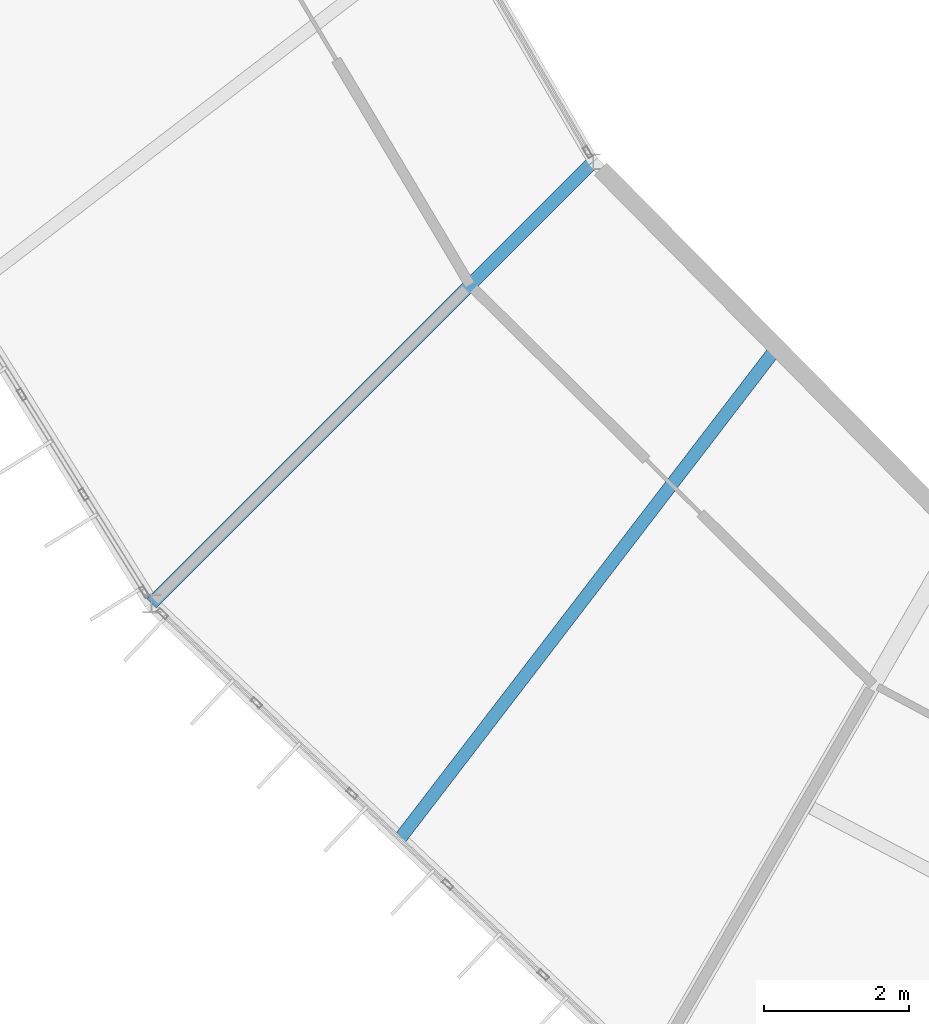
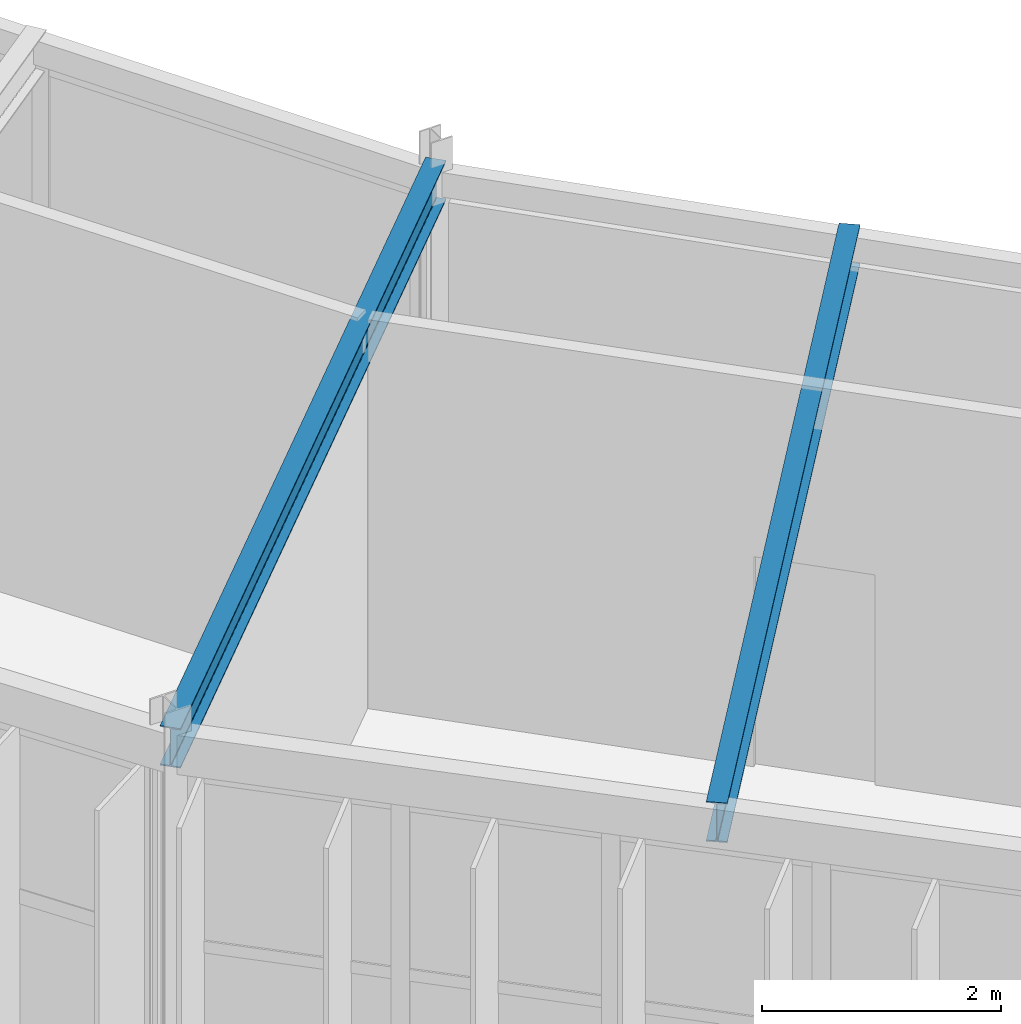
# One storey, part 24 of 134: 2 beams.
"""IFC4 building model written with IfcOpenShell, lengths in metres."""

import ifcopenshell
import ifcopenshell.guid

model = None  # the IFC model being written
_history = None  # IfcOwnerHistory: only IFC2X3 demands one
_inside = {}  # id of a spatial element -> (the spatial element, [elements in it])
_under = {}  # id of a project, library or spatial element -> (it, [spatial elements below it])
_declared = {}  # id of a project -> (the project, [libraries it declares])
_typed = {}  # id of a type object -> (the type object, [elements of that type])
_made_of = {}  # id of a material, layer set ... -> (it, [elements and type objects made of it])


def new_model(schema):
    """Start an empty IFC model of exactly this schema.

    Asked for "IFC4X3", IfcOpenShell would pick the latest addendum, in which some entities
    have other attributes; the version numbers below select the first issue.
    IFC2X3 requires an IfcOwnerHistory on every rooted entity: one is made here for all.
    """
    global model, _history
    if schema == "IFC4X3":
        model = ifcopenshell.file(schema_version=(4, 3, 0, 0))
    else:
        model = ifcopenshell.file(schema=schema)
    _inside.clear()
    _under.clear()
    _declared.clear()
    _typed.clear()
    _made_of.clear()
    _history = None
    if model.schema == "IFC2X3":
        org = make("IfcOrganization", Name="unknown")
        user = make(
            "IfcPersonAndOrganization",
            ThePerson=make("IfcPerson", FamilyName="unknown"),
            TheOrganization=org,
        )
        app = make(
            "IfcApplication",
            ApplicationDeveloper=org,
            Version="unknown",
            ApplicationFullName="unknown",
            ApplicationIdentifier="unknown",
        )
        _history = make(
            "IfcOwnerHistory",
            OwningUser=user,
            OwningApplication=app,
            ChangeAction="ADDED",
            CreationDate=0,
        )
    return model


def make(cls, **values):
    """One entity of the class cls with the attributes given. An attribute that is None is left unset."""
    return model.create_entity(
        cls, **{name: value for name, value in values.items() if value is not None}
    )


def rooted(cls, **values):
    """An entity with a GlobalId (a new one), such as an element, a storey or a relation."""
    return make(cls, GlobalId=ifcopenshell.guid.new(), OwnerHistory=_history, **values)


def si_unit(unit_type, name, prefix=None):
    """IfcSIUnit, for example si_unit("LENGTHUNIT", "METRE", prefix="MILLI")."""
    return make("IfcSIUnit", UnitType=unit_type, Prefix=prefix, Name=name)


def assignment(units):
    """IfcUnitAssignment: the units of a project."""
    return None if units is None else make("IfcUnitAssignment", Units=units)


def point(xyz):
    """IfcCartesianPoint."""
    return None if xyz is None else make("IfcCartesianPoint", Coordinates=xyz)


def direction(xyz):
    """IfcDirection."""
    return None if xyz is None else make("IfcDirection", DirectionRatios=xyz)


def frame(location, z_axis=None, x_axis=None):
    """IfcAxis2Placement3D, a coordinate frame: its origin and axes. An axis left out is left unset."""
    return make(
        "IfcAxis2Placement3D",
        Location=point(location),
        Axis=direction(z_axis),
        RefDirection=direction(x_axis),
    )


def frame_2d(location, x_axis=None):
    """IfcAxis2Placement2D, a coordinate frame in the plane: its origin and x axis."""
    return make(
        "IfcAxis2Placement2D", Location=point(location), RefDirection=direction(x_axis)
    )


def origin():
    """The frame at (0, 0, 0) with its axes left unset."""
    return frame((0.0, 0.0, 0.0))


def origin_2d():
    """The frame at (0, 0) in the plane with its x axis left unset."""
    return frame_2d((0.0, 0.0))


def place(relative_to, where):
    """IfcLocalPlacement: puts the frame where relative to a parent placement (None: the world)."""
    return make(
        "IfcLocalPlacement", PlacementRelTo=relative_to, RelativePlacement=where
    )


def context(
    kind, dimensions, precision=None, world=None, true_north=None, identifier=None
):
    """IfcGeometricRepresentationContext, for example the 3D "Model" context."""
    return make(
        "IfcGeometricRepresentationContext",
        ContextIdentifier=identifier,
        ContextType=kind,
        CoordinateSpaceDimension=dimensions,
        Precision=precision,
        WorldCoordinateSystem=world,
        TrueNorth=true_north,
    )


def subcontext(parent, identifier, kind, view, scale=None):
    """IfcGeometricRepresentationSubContext, for example "Body" below "Model"."""
    return make(
        "IfcGeometricRepresentationSubContext",
        ContextIdentifier=identifier,
        ContextType=kind,
        ParentContext=parent,
        TargetScale=scale,
        TargetView=view,
    )


def project(units=None, contexts=None):
    """IfcProject with its units and contexts."""
    return rooted(
        "IfcProject",
        Name="project",
        RepresentationContexts=contexts,
        UnitsInContext=assignment(units),
    )


def spatial(cls, under=None, at=None, **own):
    """A site, building, storey or space (cls), placed at a placement, below another one or the project."""
    s = rooted(cls, ObjectPlacement=at, **own)
    if under is not None:
        _under.setdefault(under.id(), (under, []))[1].append(s)
    return s


def profile(cls, at=None, kind="AREA", **sizes):
    """A parametric profile (cls). Its sizes go by their IFC names, for example OverallWidth=200.0."""
    return make(cls, ProfileType=kind, Position=at, **sizes)


def i_section(**sizes):
    """IfcIShapeProfileDef."""
    return profile("IfcIShapeProfileDef", **sizes)


def extrude(swept, where, along, depth):
    """IfcExtrudedAreaSolid: the profile swept, set in the frame where, extruded along a direction by depth."""
    return make(
        "IfcExtrudedAreaSolid",
        SweptArea=swept,
        Position=where,
        ExtrudedDirection=direction(along),
        Depth=depth,
    )


def shape(context_of_items, identifier, shape_type, items):
    """IfcShapeRepresentation: the items that make up one representation, for example the "Body"."""
    return make(
        "IfcShapeRepresentation",
        ContextOfItems=context_of_items,
        RepresentationIdentifier=identifier,
        RepresentationType=shape_type,
        Items=items,
    )


def material(Name=None, Category=None):
    """IfcMaterial."""
    return make("IfcMaterial", Name=Name, Category=Category)


def material_profile(
    of_material, cross_section, Name=None, Category=None, Priority=None
):
    """IfcMaterialProfile: a cross section and its material."""
    return make(
        "IfcMaterialProfile",
        Name=Name,
        Material=of_material,
        Profile=cross_section,
        Priority=Priority,
        Category=Category,
    )


def profile_set(profiles, Name=None, composite=None):
    """IfcMaterialProfileSet."""
    return make(
        "IfcMaterialProfileSet",
        Name=Name,
        MaterialProfiles=profiles,
        CompositeProfile=composite,
    )


def made_of(thing, what):
    """Note that an element or type object is made of a material, layer set ...; save() writes the relation."""
    if what is not None:
        _made_of.setdefault(what.id(), (what, []))[1].append(thing)
    return thing


def type_object(cls, material=None, **own):
    """A type object (cls), such as IfcWallType, which elements share."""
    return made_of(rooted(cls, **own), material)


def element(
    cls,
    number,
    at=None,
    inside=None,
    cuts=None,
    type_object=None,
    material=None,
    context=None,
    identifier="Body",
    shape_type=None,
    held_by="IfcProductDefinitionShape",
    body=None,
    shapes=None,
    **own,
):
    """One element of the class cls, such as IfcWall. Its Tag is "e" and its number.

    at: its placement. inside: the storey or other place that contains it. cuts: it is an
    opening in that element (IfcRelVoidsElement). A single representation is given by context,
    identifier, shape_type and body (its items); several are given by shapes. held_by: the class
    of the entity that holds the representations. save() writes the other relations.
    """
    e = rooted(cls, Tag="e%d" % number, ObjectPlacement=at, **own)
    if body is not None:
        shapes = [shape(context, identifier, shape_type, body)]
    if shapes is not None:
        e.Representation = make(held_by, Representations=shapes)
    if inside is not None:
        _inside.setdefault(inside.id(), (inside, []))[1].append(e)
    if cuts is not None:
        rooted(
            "IfcRelVoidsElement", RelatingBuildingElement=cuts, RelatedOpeningElement=e
        )
    if type_object is not None:
        _typed.setdefault(type_object.id(), (type_object, []))[1].append(e)
    return made_of(e, material)


def aggregate(whole, parts):
    """IfcRelAggregates: a whole, such as a stair, and the parts it consists of."""
    return rooted("IfcRelAggregates", RelatingObject=whole, RelatedObjects=parts)


def save(model, path):
    """Write the relations noted so far, then the file.

    IfcRelAggregates (storeys below a building ...), IfcRelContainedInSpatialStructure (elements
    in a storey), IfcRelDefinesByType, IfcRelAssociatesMaterial and IfcRelDeclares: one each for
    every whole, place, type object, material and project.
    """
    for whole, parts in _under.values():
        aggregate(whole, parts)
    for where, things in _inside.values():
        rooted(
            "IfcRelContainedInSpatialStructure",
            RelatedElements=things,
            RelatingStructure=where,
        )
    for kind, things in _typed.values():
        rooted("IfcRelDefinesByType", RelatedObjects=things, RelatingType=kind)
    for what, things in _made_of.values():
        rooted("IfcRelAssociatesMaterial", RelatedObjects=things, RelatingMaterial=what)
    for by, libraries in _declared.values():
        rooted("IfcRelDeclares", RelatingContext=by, RelatedDefinitions=libraries)
    model.write(path)


model = new_model("IFC4")

# Units and contexts
model_context = context("Model", 3, precision=1e-05, world=origin(), true_north=direction((0.0, 1.0)))
body_context = subcontext(model_context, "Body", "Model", "MODEL_VIEW")
ifc_project = project(units=[si_unit("LENGTHUNIT", "METRE"), si_unit("AREAUNIT", "SQUARE_METRE"), si_unit("VOLUMEUNIT", "CUBIC_METRE"), si_unit("PLANEANGLEUNIT", "RADIAN"), si_unit("MASSUNIT", "GRAM", prefix="KILO")], contexts=[model_context])

# Site, building, storey
site_placement = place(None, origin())
site = spatial("IfcSite", under=ifc_project, at=site_placement, CompositionType="ELEMENT")
building_placement = place(site_placement, origin())
building = spatial("IfcBuilding", under=site, at=building_placement, Name="Karori Crest Natural Sciences Institute", CompositionType="ELEMENT")
storey_placement = place(building_placement, frame((0.0, 0.0, 21.699951171875)))
storey = spatial("IfcBuildingStorey", under=building, at=storey_placement, Name="L05", CompositionType="ELEMENT", Elevation=21.699951171875)

# Beams
ifc_material = material(Name="Structural steel AS/NZS 3679.1 Grade 350", Category="steel")
ifc_material_profile = material_profile(ifc_material, i_section(OverallWidth=0.177978515625, OverallDepth=0.406005859375, WebThickness=0.0078125, FlangeThickness=0.0126953125, FilletRadius=0.010986328125, at=origin_2d()), Name="410UB59.7")
ifc_profile_set = profile_set([ifc_material_profile], Name="Structural steel AS/NZS 3679.1 Grade 350")
beam_type = type_object("IfcBeamType", Name="BT-07", PredefinedType="BEAM", material=ifc_profile_set)
beam_1_placement = place(storey_placement, frame((49.146484375, 27.131103515625, 3.739990234375), z_axis=(-0.707106781187, -0.707106781187, 0.0), x_axis=(0.707106781187, -0.707106781187, 0.0)))
element("IfcBeam", 1, at=beam_1_placement, inside=storey, type_object=beam_type, Name="Beam B-0691", PredefinedType="BEAM", context=body_context, shape_type="SweptSolid", body=[
    extrude(i_section(OverallWidth=0.177978515625, OverallDepth=0.406005859375, WebThickness=0.0078125, FlangeThickness=0.0126953125, FilletRadius=0.010986328125, at=origin_2d()), origin(), (0.0, 0.0, 1.0), 8.599853515625),
])
beam_2_placement = place(storey_placement, frame((51.67333984375, 24.572509765625, 3.739990234375), z_axis=(-0.608773524363, -0.793344059053, 0.0), x_axis=(0.793344059053, -0.608773524363, 0.0)))
element("IfcBeam", 2, at=beam_2_placement, inside=storey, type_object=beam_type, Name="Beam B-2896", PredefinedType="BEAM", context=body_context, shape_type="SweptSolid", body=[
    extrude(i_section(OverallWidth=0.177978515625, OverallDepth=0.406005859375, WebThickness=0.0078125, FlangeThickness=0.0126953125, FilletRadius=0.010986328125, at=origin_2d()), origin(), (0.0, 0.0, 1.0), 8.5263671875),
])

save(model, "model.ifc")
